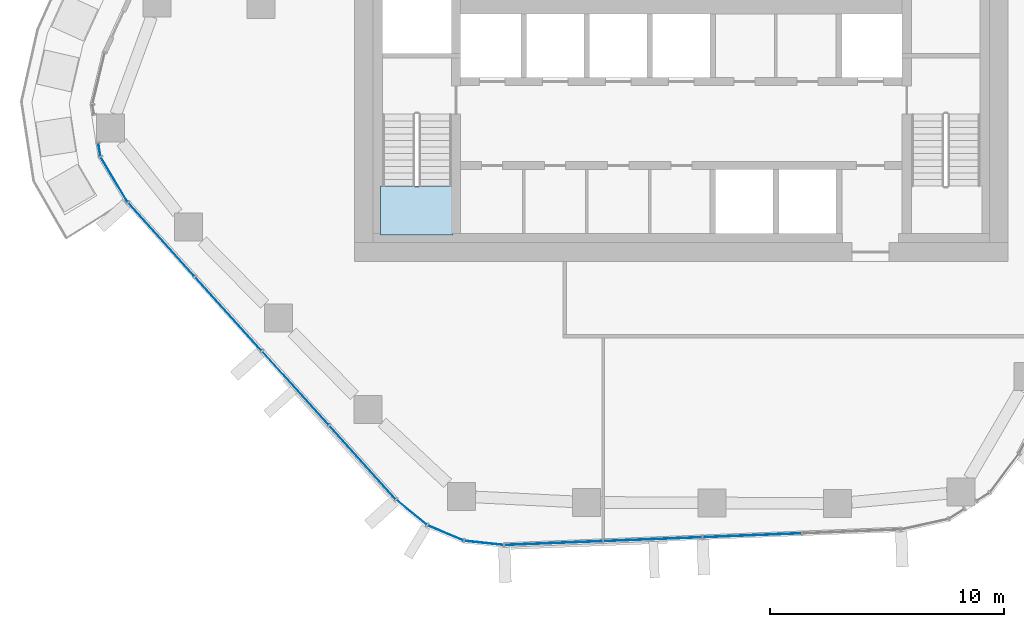
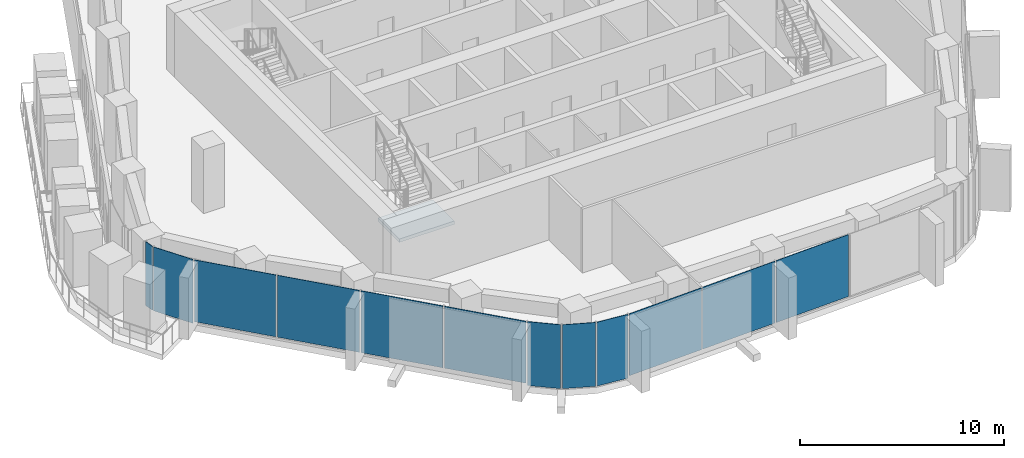
# One storey, part 7 of 18: 12 plates, 1 slab, 5 elements without a shape of their own.
"""IFC4 building model written with IfcOpenShell, lengths in metres."""

from ifc_helpers import new_model, si_unit, direction, frame, origin, origin_2d, place, context, subcontext, project, spatial, polyline, rectangle, outline, extrude, material, layer, layer_set, type_object, element, aggregate, save


model = new_model("IFC4")

# Units and contexts
model_context = context("Model", 3, precision=1e-05, world=origin(), true_north=direction((0.0, 1.0)))
body_context = subcontext(model_context, "Body", "Model", "MODEL_VIEW")
ifc_project = project(units=[si_unit("LENGTHUNIT", "METRE"), si_unit("AREAUNIT", "SQUARE_METRE"), si_unit("VOLUMEUNIT", "CUBIC_METRE"), si_unit("PLANEANGLEUNIT", "RADIAN"), si_unit("MASSUNIT", "GRAM", prefix="KILO")], contexts=[model_context])

# Site, building, storey
site_placement = place(None, origin())
site = spatial("IfcSite", under=ifc_project, at=site_placement, CompositionType="ELEMENT")
building_placement = place(site_placement, origin())
building = spatial("IfcBuilding", under=site, at=building_placement, Name="Dongbaek Canopy Tower", CompositionType="ELEMENT")
storey_placement = place(building_placement, frame((0.0, 0.0, 203.0)))
storey = spatial("IfcBuildingStorey", under=building, at=storey_placement, Name="L42", CompositionType="ELEMENT", Elevation=203.0)

# Curtain wall, plates
ifc_material_1 = material(Name="Aluminium 6063-T6 pale anodised", Category="aluminium")
ifc_layer_1 = layer(ifc_material_1, 0.199951171875)
ifc_layer_set_1 = layer_set([ifc_layer_1], Name="CW-1 unitised tower curtain wall")
curtain_wall_type = type_object("IfcCurtainWallType", Name="CW-1 unitised tower curtain wall", PredefinedType="NOTDEFINED", material=ifc_layer_set_1)
curtain_wall_1_placement = place(storey_placement, origin())
curtain_wall_1 = element("IfcCurtainWall", 1, at=curtain_wall_1_placement, inside=storey, type_object=curtain_wall_type, Name="CW-1 curtain wall K3.1b", PredefinedType="NOTDEFINED")
ifc_material_2 = material(Name="Clear laminated glass", Category="glass")
ifc_layer_2 = layer(ifc_material_2, 0.028076171875)
ifc_layer_set_2 = layer_set([ifc_layer_2], Name="CW-1 glazed panel 28")
plate_type = type_object("IfcPlateType", Name="CW-1 glazed panel 28", PredefinedType="CURTAIN_PANEL", material=ifc_layer_set_2)
plate_1_placement = place(storey_placement, frame((-24.920166015625, -6.219482421875, 0.0), z_axis=(0.0, 0.0, 1.0), x_axis=(0.15271309761, -0.988270565088, 0.0)))
plate_1 = element("IfcPlate", 2, at=plate_1_placement, type_object=plate_type, Name="CW-1 panel K3.1b.1.1", PredefinedType="CURTAIN_PANEL", context=body_context, shape_type="SweptSolid", body=[
    extrude(rectangle(XDim=0.53466796875, YDim=0.028076171875, at=origin_2d()), origin(), (0.0, 0.0, 1.0), 3.820068359375),
])
plate_2_placement = place(storey_placement, frame((-24.2861328125, -7.502685546875, 0.0), z_axis=(0.0, 0.0, 1.0), x_axis=(0.514682794995, -0.857380674226, 0.0)))
plate_2 = element("IfcPlate", 3, at=plate_2_placement, type_object=plate_type, Name="CW-1 panel K3.1b.2.1", PredefinedType="CURTAIN_PANEL", context=body_context, shape_type="SweptSolid", body=[
    extrude(rectangle(XDim=2.196044921875, YDim=0.028076171875, at=origin_2d()), origin(), (0.0, 0.0, 1.0), 3.820068359375),
])
aggregate(curtain_wall_1, [plate_1, plate_2])

curtain_wall_2_placement = place(storey_placement, origin())
curtain_wall_2 = element("IfcCurtainWall", 4, at=curtain_wall_2_placement, inside=storey, type_object=curtain_wall_type, Name="CW-1 curtain wall F3.1", PredefinedType="NOTDEFINED")
plate_3_placement = place(storey_placement, frame((-22.265380859375, -10.068603515625, 0.1201171875), z_axis=(0.0, 0.0, 1.0), x_axis=(0.670067681014, -0.742300008663, 0.0)))
plate_3 = element("IfcPlate", 5, at=plate_3_placement, type_object=plate_type, Name="CW-1 panel F3.1.1.1", PredefinedType="CURTAIN_PANEL", context=body_context, shape_type="SweptSolid", body=[
    extrude(rectangle(XDim=4.195556640625, YDim=0.028076171875, at=origin_2d()), origin(), (0.0, 0.0, 1.0), 3.699951171875),
])
plate_4_placement = place(storey_placement, frame((-19.39453125, -13.2490234375, 0.1201171875), z_axis=(0.0, 0.0, 1.0), x_axis=(0.670067681014, -0.742300008663, 0.0)))
plate_4 = element("IfcPlate", 6, at=plate_4_placement, type_object=plate_type, Name="CW-1 panel F3.1.2.1", PredefinedType="CURTAIN_PANEL", context=body_context, shape_type="SweptSolid", body=[
    extrude(rectangle(XDim=4.205322265625, YDim=0.028076171875, at=origin_2d()), origin(), (0.0, 0.0, 1.0), 3.699951171875),
])
plate_5_placement = place(storey_placement, frame((-16.5205078125, -16.432861328125, 0.1201171875), z_axis=(0.0, 0.0, 1.0), x_axis=(0.670067681014, -0.742300008663, 0.0)))
plate_5 = element("IfcPlate", 7, at=plate_5_placement, type_object=plate_type, Name="CW-1 panel F3.1.3.1", PredefinedType="CURTAIN_PANEL", context=body_context, shape_type="SweptSolid", body=[
    extrude(rectangle(XDim=4.205322265625, YDim=0.028076171875, at=origin_2d()), origin(), (0.0, 0.0, 1.0), 3.699951171875),
])
plate_6_placement = place(storey_placement, frame((-13.648681640625, -19.6142578125, 0.1201171875), z_axis=(0.0, 0.0, 1.0), x_axis=(0.670067681014, -0.742300008663, 0.0)))
plate_6 = element("IfcPlate", 8, at=plate_6_placement, type_object=plate_type, Name="CW-1 panel F3.1.4.1", PredefinedType="CURTAIN_PANEL", context=body_context, shape_type="SweptSolid", body=[
    extrude(rectangle(XDim=4.197998046875, YDim=0.028076171875, at=origin_2d()), origin(), (0.0, 0.0, 1.0), 3.699951171875),
])
aggregate(curtain_wall_2, [plate_3, plate_4, plate_5, plate_6])

curtain_wall_3_placement = place(storey_placement, origin())
curtain_wall_3 = element("IfcCurtainWall", 9, at=curtain_wall_3_placement, inside=storey, type_object=curtain_wall_type, Name="CW-1 curtain wall K4.1", PredefinedType="NOTDEFINED")
plate_7_placement = place(storey_placement, frame((-11.5498046875, -21.752197265625, 0.0), z_axis=(0.0, 0.0, 1.0), x_axis=(0.770906856921, -0.63694789265, 0.0)))
plate_7 = element("IfcPlate", 10, at=plate_7_placement, type_object=plate_type, Name="CW-1 panel K4.1.1.1", PredefinedType="CURTAIN_PANEL", context=body_context, shape_type="SweptSolid", body=[
    extrude(rectangle(XDim=1.639404296875, YDim=0.028076171875, at=origin_2d()), origin(), (0.0, 0.0, 1.0), 3.820068359375),
])
plate_8_placement = place(storey_placement, frame((-10.094970703125, -22.634033203125, 0.0), z_axis=(0.0, 0.0, 1.0), x_axis=(0.921603256524, -0.388133272941, 0.0)))
plate_8 = element("IfcPlate", 11, at=plate_8_placement, type_object=plate_type, Name="CW-1 panel K4.1.2.1", PredefinedType="CURTAIN_PANEL", context=body_context, shape_type="SweptSolid", body=[
    extrude(rectangle(XDim=1.6318359375, YDim=0.028076171875, at=origin_2d()), origin(), (0.0, 0.0, 1.0), 3.820068359375),
])
plate_9_placement = place(storey_placement, frame((-8.447509765625, -23.058837890625, 0.0), z_axis=(0.0, 0.0, 1.0), x_axis=(0.994315321329, -0.106475545413, 0.0)))
plate_9 = element("IfcPlate", 12, at=plate_9_placement, type_object=plate_type, Name="CW-1 panel K4.1.3.1", PredefinedType="CURTAIN_PANEL", context=body_context, shape_type="SweptSolid", body=[
    extrude(rectangle(XDim=1.639404296875, YDim=0.028076171875, at=origin_2d()), origin(), (0.0, 0.0, 1.0), 3.820068359375),
])
aggregate(curtain_wall_3, [plate_7, plate_8, plate_9])

curtain_wall_4_placement = place(storey_placement, origin())
curtain_wall_4 = element("IfcCurtainWall", 13, at=curtain_wall_4_placement, inside=storey, type_object=curtain_wall_type, Name="CW-1 curtain wall F4.1", PredefinedType="NOTDEFINED")
plate_10_placement = place(storey_placement, frame((-5.467041015625, -23.067138671875, 0.1201171875), z_axis=(0.0, 0.0, 1.0), x_axis=(0.999228406114, 0.039275850271, 0.0)))
plate_10 = element("IfcPlate", 14, at=plate_10_placement, type_object=plate_type, Name="CW-1 panel F4.1.1.1", PredefinedType="CURTAIN_PANEL", context=body_context, shape_type="SweptSolid", body=[
    extrude(rectangle(XDim=4.166259765625, YDim=0.028076171875, at=origin_2d()), origin(), (0.0, 0.0, 1.0), 3.699951171875),
])
plate_11_placement = place(storey_placement, frame((-1.216552734375, -22.900146484375, 0.1201171875), z_axis=(0.0, 0.0, 1.0), x_axis=(0.999228406114, 0.039275850271, 0.0)))
plate_11 = element("IfcPlate", 15, at=plate_11_placement, type_object=plate_type, Name="CW-1 panel F4.1.2.1", PredefinedType="CURTAIN_PANEL", context=body_context, shape_type="SweptSolid", body=[
    extrude(rectangle(XDim=4.173583984375, YDim=0.028076171875, at=origin_2d()), origin(), (0.0, 0.0, 1.0), 3.699951171875),
])
plate_12_placement = place(storey_placement, frame((3.037841796875, -22.73291015625, 0.1201171875), z_axis=(0.0, 0.0, 1.0), x_axis=(0.999228406114, 0.039275850271, 0.0)))
plate_12 = element("IfcPlate", 16, at=plate_12_placement, type_object=plate_type, Name="CW-1 panel F4.1.3.1", PredefinedType="CURTAIN_PANEL", context=body_context, shape_type="SweptSolid", body=[
    extrude(rectangle(XDim=4.173583984375, YDim=0.028076171875, at=origin_2d()), origin(), (0.0, 0.0, 1.0), 3.699951171875),
])
aggregate(curtain_wall_4, [plate_10, plate_11, plate_12])

# Stair, slab
ifc_material_3 = material(Name="Concrete C40/50", Category="concrete")
stair_type = type_object("IfcStairType", Name="Core exit stair", PredefinedType="HALF_TURN_STAIR", material=ifc_material_3)
stair_placement = place(storey_placement, origin())
stair = element("IfcStair", 17, at=stair_placement, inside=storey, type_object=stair_type, Name="L42 exit stair D", PredefinedType="HALF_TURN_STAIR")
ifc_material_4 = material(Name="Concrete C40/50", Category="concrete")
ifc_layer_3 = layer(ifc_material_4, 0.199951171875)
ifc_layer_set_3 = layer_set([ifc_layer_3], Name="Core stair landing 200")
slab_type = type_object("IfcSlabType", Name="Core stair landing 200", PredefinedType="LANDING", material=ifc_layer_set_3)
slab_placement = place(storey_placement, frame((0.0, 0.0, 1.89990234375)))
slab = element("IfcSlab", 18, at=slab_placement, type_object=slab_type, Name="ST-D landing 1", PredefinedType="LANDING", context=body_context, shape_type="SweptSolid", body=[
    extrude(outline(polyline([(-12.875, -7.780029296875), (-12.875, -9.875), (-9.77490234375, -9.875), (-9.77490234375, -7.780029296875), (-12.875, -7.780029296875)])), origin(), (0.0, 0.0, 1.0), 0.2001953125),
])
aggregate(stair, [slab])

save(model, "model.ifc")
